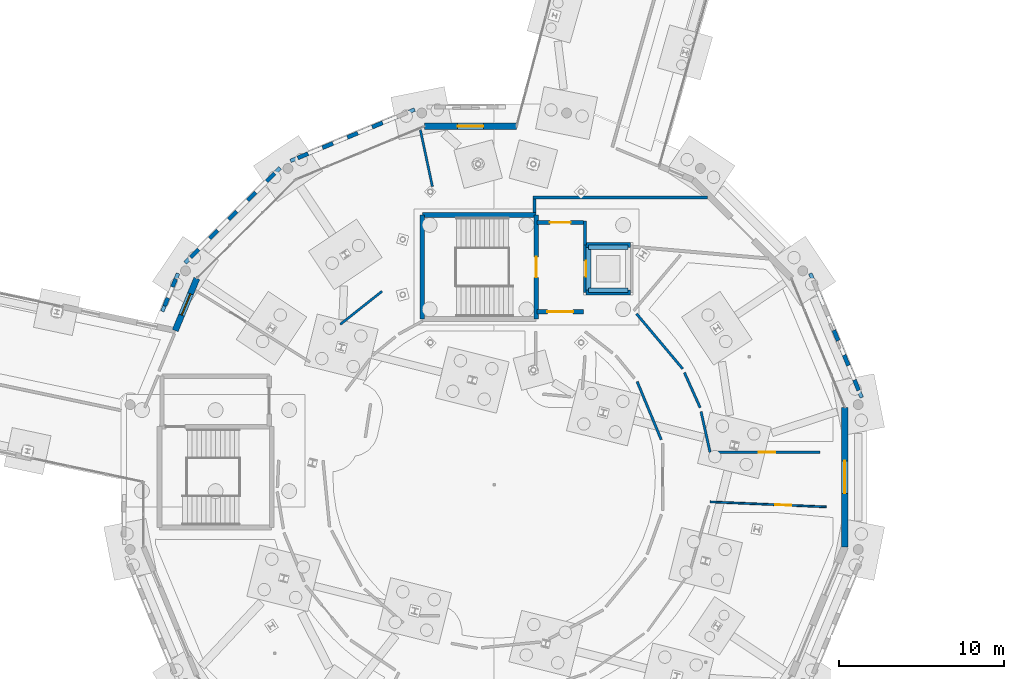
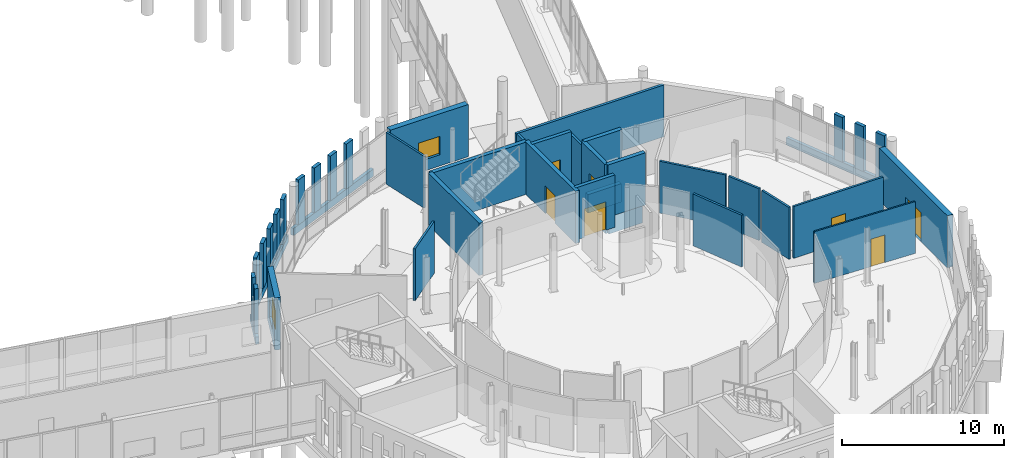
# One storey, part 91 of 113: 43 walls, 7 doors, 2 windows, 9 openings.
"""IFC4 building model written with IfcOpenShell, lengths in metres."""

import ifcopenshell
import ifcopenshell.guid

model = None  # the IFC model being written
_history = None  # IfcOwnerHistory: only IFC2X3 demands one
_inside = {}  # id of a spatial element -> (the spatial element, [elements in it])
_under = {}  # id of a project, library or spatial element -> (it, [spatial elements below it])
_declared = {}  # id of a project -> (the project, [libraries it declares])
_typed = {}  # id of a type object -> (the type object, [elements of that type])
_made_of = {}  # id of a material, layer set ... -> (it, [elements and type objects made of it])


def new_model(schema):
    """Start an empty IFC model of exactly this schema.

    Asked for "IFC4X3", IfcOpenShell would pick the latest addendum, in which some entities
    have other attributes; the version numbers below select the first issue.
    IFC2X3 requires an IfcOwnerHistory on every rooted entity: one is made here for all.
    """
    global model, _history
    if schema == "IFC4X3":
        model = ifcopenshell.file(schema_version=(4, 3, 0, 0))
    else:
        model = ifcopenshell.file(schema=schema)
    _inside.clear()
    _under.clear()
    _declared.clear()
    _typed.clear()
    _made_of.clear()
    _history = None
    if model.schema == "IFC2X3":
        org = make("IfcOrganization", Name="unknown")
        user = make(
            "IfcPersonAndOrganization",
            ThePerson=make("IfcPerson", FamilyName="unknown"),
            TheOrganization=org,
        )
        app = make(
            "IfcApplication",
            ApplicationDeveloper=org,
            Version="unknown",
            ApplicationFullName="unknown",
            ApplicationIdentifier="unknown",
        )
        _history = make(
            "IfcOwnerHistory",
            OwningUser=user,
            OwningApplication=app,
            ChangeAction="ADDED",
            CreationDate=0,
        )
    return model


def make(cls, **values):
    """One entity of the class cls with the attributes given. An attribute that is None is left unset."""
    return model.create_entity(
        cls, **{name: value for name, value in values.items() if value is not None}
    )


def rooted(cls, **values):
    """An entity with a GlobalId (a new one), such as an element, a storey or a relation."""
    return make(cls, GlobalId=ifcopenshell.guid.new(), OwnerHistory=_history, **values)


def si_unit(unit_type, name, prefix=None):
    """IfcSIUnit, for example si_unit("LENGTHUNIT", "METRE", prefix="MILLI")."""
    return make("IfcSIUnit", UnitType=unit_type, Prefix=prefix, Name=name)


def assignment(units):
    """IfcUnitAssignment: the units of a project."""
    return None if units is None else make("IfcUnitAssignment", Units=units)


def point(xyz):
    """IfcCartesianPoint."""
    return None if xyz is None else make("IfcCartesianPoint", Coordinates=xyz)


def direction(xyz):
    """IfcDirection."""
    return None if xyz is None else make("IfcDirection", DirectionRatios=xyz)


def frame(location, z_axis=None, x_axis=None):
    """IfcAxis2Placement3D, a coordinate frame: its origin and axes. An axis left out is left unset."""
    return make(
        "IfcAxis2Placement3D",
        Location=point(location),
        Axis=direction(z_axis),
        RefDirection=direction(x_axis),
    )


def frame_2d(location, x_axis=None):
    """IfcAxis2Placement2D, a coordinate frame in the plane: its origin and x axis."""
    return make(
        "IfcAxis2Placement2D", Location=point(location), RefDirection=direction(x_axis)
    )


def origin():
    """The frame at (0, 0, 0) with its axes left unset."""
    return frame((0.0, 0.0, 0.0))


def place(relative_to, where):
    """IfcLocalPlacement: puts the frame where relative to a parent placement (None: the world)."""
    return make(
        "IfcLocalPlacement", PlacementRelTo=relative_to, RelativePlacement=where
    )


def context(
    kind, dimensions, precision=None, world=None, true_north=None, identifier=None
):
    """IfcGeometricRepresentationContext, for example the 3D "Model" context."""
    return make(
        "IfcGeometricRepresentationContext",
        ContextIdentifier=identifier,
        ContextType=kind,
        CoordinateSpaceDimension=dimensions,
        Precision=precision,
        WorldCoordinateSystem=world,
        TrueNorth=true_north,
    )


def subcontext(parent, identifier, kind, view, scale=None):
    """IfcGeometricRepresentationSubContext, for example "Body" below "Model"."""
    return make(
        "IfcGeometricRepresentationSubContext",
        ContextIdentifier=identifier,
        ContextType=kind,
        ParentContext=parent,
        TargetScale=scale,
        TargetView=view,
    )


def project(units=None, contexts=None):
    """IfcProject with its units and contexts."""
    return rooted(
        "IfcProject",
        Name="project",
        RepresentationContexts=contexts,
        UnitsInContext=assignment(units),
    )


def spatial(cls, under=None, at=None, **own):
    """A site, building, storey or space (cls), placed at a placement, below another one or the project."""
    s = rooted(cls, ObjectPlacement=at, **own)
    if under is not None:
        _under.setdefault(under.id(), (under, []))[1].append(s)
    return s


def profile(cls, at=None, kind="AREA", **sizes):
    """A parametric profile (cls). Its sizes go by their IFC names, for example OverallWidth=200.0."""
    return make(cls, ProfileType=kind, Position=at, **sizes)


def rectangle(**sizes):
    """IfcRectangleProfileDef."""
    return profile("IfcRectangleProfileDef", **sizes)


def extrude(swept, where, along, depth):
    """IfcExtrudedAreaSolid: the profile swept, set in the frame where, extruded along a direction by depth."""
    return make(
        "IfcExtrudedAreaSolid",
        SweptArea=swept,
        Position=where,
        ExtrudedDirection=direction(along),
        Depth=depth,
    )


def shape(context_of_items, identifier, shape_type, items):
    """IfcShapeRepresentation: the items that make up one representation, for example the "Body"."""
    return make(
        "IfcShapeRepresentation",
        ContextOfItems=context_of_items,
        RepresentationIdentifier=identifier,
        RepresentationType=shape_type,
        Items=items,
    )


def material(Name=None, Category=None):
    """IfcMaterial."""
    return make("IfcMaterial", Name=Name, Category=Category)


def layer(
    of_material, thickness, ventilated=None, Name=None, Category=None, Priority=None
):
    """IfcMaterialLayer: one layer of a wall or slab, of a material (None: an air gap)."""
    return make(
        "IfcMaterialLayer",
        Material=of_material,
        LayerThickness=thickness,
        IsVentilated=ventilated,
        Name=Name,
        Category=Category,
        Priority=Priority,
    )


def layer_set(layers, Name=None):
    """IfcMaterialLayerSet."""
    return make("IfcMaterialLayerSet", MaterialLayers=layers, LayerSetName=Name)


def made_of(thing, what):
    """Note that an element or type object is made of a material, layer set ...; save() writes the relation."""
    if what is not None:
        _made_of.setdefault(what.id(), (what, []))[1].append(thing)
    return thing


def type_object(cls, material=None, **own):
    """A type object (cls), such as IfcWallType, which elements share."""
    return made_of(rooted(cls, **own), material)


def element(
    cls,
    number,
    at=None,
    inside=None,
    cuts=None,
    type_object=None,
    material=None,
    context=None,
    identifier="Body",
    shape_type=None,
    held_by="IfcProductDefinitionShape",
    body=None,
    shapes=None,
    **own,
):
    """One element of the class cls, such as IfcWall. Its Tag is "e" and its number.

    at: its placement. inside: the storey or other place that contains it. cuts: it is an
    opening in that element (IfcRelVoidsElement). A single representation is given by context,
    identifier, shape_type and body (its items); several are given by shapes. held_by: the class
    of the entity that holds the representations. save() writes the other relations.
    """
    e = rooted(cls, Tag="e%d" % number, ObjectPlacement=at, **own)
    if body is not None:
        shapes = [shape(context, identifier, shape_type, body)]
    if shapes is not None:
        e.Representation = make(held_by, Representations=shapes)
    if inside is not None:
        _inside.setdefault(inside.id(), (inside, []))[1].append(e)
    if cuts is not None:
        rooted(
            "IfcRelVoidsElement", RelatingBuildingElement=cuts, RelatedOpeningElement=e
        )
    if type_object is not None:
        _typed.setdefault(type_object.id(), (type_object, []))[1].append(e)
    return made_of(e, material)


def fill(opening, filler):
    """IfcRelFillsElement: the door or window that sits in an opening."""
    return rooted(
        "IfcRelFillsElement",
        RelatingOpeningElement=opening,
        RelatedBuildingElement=filler,
    )


def aggregate(whole, parts):
    """IfcRelAggregates: a whole, such as a stair, and the parts it consists of."""
    return rooted("IfcRelAggregates", RelatingObject=whole, RelatedObjects=parts)


def save(model, path):
    """Write the relations noted so far, then the file.

    IfcRelAggregates (storeys below a building ...), IfcRelContainedInSpatialStructure (elements
    in a storey), IfcRelDefinesByType, IfcRelAssociatesMaterial and IfcRelDeclares: one each for
    every whole, place, type object, material and project.
    """
    for whole, parts in _under.values():
        aggregate(whole, parts)
    for where, things in _inside.values():
        rooted(
            "IfcRelContainedInSpatialStructure",
            RelatedElements=things,
            RelatingStructure=where,
        )
    for kind, things in _typed.values():
        rooted("IfcRelDefinesByType", RelatedObjects=things, RelatingType=kind)
    for what, things in _made_of.values():
        rooted("IfcRelAssociatesMaterial", RelatedObjects=things, RelatingMaterial=what)
    for by, libraries in _declared.values():
        rooted("IfcRelDeclares", RelatingContext=by, RelatedDefinitions=libraries)
    model.write(path)


model = new_model("IFC4")

# Units and contexts
model_context = context("Model", 3, precision=1e-05, world=origin(), true_north=direction((0.0, 1.0)))
body_context = subcontext(model_context, "Body", "Model", "MODEL_VIEW")
ifc_project = project(units=[si_unit("LENGTHUNIT", "METRE"), si_unit("AREAUNIT", "SQUARE_METRE"), si_unit("VOLUMEUNIT", "CUBIC_METRE"), si_unit("PLANEANGLEUNIT", "RADIAN"), si_unit("MASSUNIT", "GRAM", prefix="KILO")], contexts=[model_context])

# Site, building, storey
site_placement = place(None, origin())
site = spatial("IfcSite", under=ifc_project, at=site_placement, CompositionType="ELEMENT")
building_placement = place(site_placement, origin())
building = spatial("IfcBuilding", under=site, at=building_placement, Name="Wrenclough Park School", CompositionType="ELEMENT")
storey_placement = place(building_placement, origin())
storey = spatial("IfcBuildingStorey", under=building, at=storey_placement, Name="L00", CompositionType="ELEMENT", Elevation=0.0)

# Walls
ifc_material_1 = material(Name="Perforated open-bond Staffordshire and Manchester brick screen pier", Category="masonry")
ifc_layer_1 = layer(ifc_material_1, 0.2451171875)
ifc_layer_set_1 = layer_set([ifc_layer_1], Name="Perforated open-bond Staffordshire and Manchester brick screen pier")
wall_type_1 = type_object("IfcWallType", Name="ENV-BS-PR245", PredefinedType="ELEMENTEDWALL", material=ifc_layer_set_1)
for number, where, z_axis, x_axis, name in (
    (1, (177.5498046875, 31.743896484375, 0.550048828125), (0.0, 0.0, 1.0), (-0.382762115804, 0.923846936838, 0.0), "D1 L00 perforated brick screen pier 0001"),
    (2, (176.927490234375, 33.24609375, 0.550048828125), (0.0, 0.0, 1.0), (-0.38245702535, 0.923973280869, 0.0), "D1 L00 perforated brick screen pier 0002"),
    (3, (176.305419921875, 34.748291015625, 0.550048828125), (0.0, 0.0, 1.0), (-0.382762115804, 0.923846936838, 0.0), "D1 L00 perforated brick screen pier 0003"),
):
    element("IfcWall", number, at=place(storey_placement, frame(where, z_axis=z_axis, x_axis=x_axis)), inside=storey, type_object=wall_type_1, Name=name, PredefinedType="ELEMENTEDWALL", context=body_context, shape_type="SweptSolid", body=[
        extrude(rectangle(XDim=0.68310546875, YDim=0.2451171875, at=frame_2d((0.341552734375, 0.0))), origin(), (0.0, 0.0, 1.0), 3.389892578125),
    ])
for number, where, z_axis, x_axis, name in (
    (4, (148.753662109375, 47.927490234375, 0.550048828125), (0.0, 0.0, 1.0), (-0.923794551169, -0.382888531077, 0.0), "D1 L00 perforated brick screen pier 0010"),
    (5, (147.25146484375, 47.30517578125, 0.550048828125), (0.0, 0.0, 1.0), (-0.923920971518, -0.382583374429, 0.0), "D1 L00 perforated brick screen pier 0011"),
    (6, (145.749267578125, 46.68310546875, 0.550048828125), (0.0, 0.0, 1.0), (-0.923794551169, -0.382888531077, 0.0), "D1 L00 perforated brick screen pier 0012"),
):
    element("IfcWall", number, at=place(storey_placement, frame(where, z_axis=z_axis, x_axis=x_axis)), inside=storey, type_object=wall_type_1, Name=name, PredefinedType="ELEMENTEDWALL", context=body_context, shape_type="SweptSolid", body=[
        extrude(rectangle(XDim=0.682861328125, YDim=0.2451171875, at=frame_2d((0.34130859375, 0.0))), origin(), (0.0, 0.0, 1.0), 3.389892578125),
    ])
wall_1_placement = place(storey_placement, frame((144.2470703125, 46.060791015625, 0.550048828125), z_axis=(0.0, 0.0, 1.0), x_axis=(-0.923846936838, -0.382762115804, 0.0)))
element("IfcWall", 7, at=wall_1_placement, inside=storey, type_object=wall_type_1, Name="D1 L00 perforated brick screen pier 0013", PredefinedType="ELEMENTEDWALL", context=body_context, shape_type="SweptSolid", body=[
    extrude(rectangle(XDim=0.68310546875, YDim=0.2451171875, at=frame_2d((0.341552734375, 0.0))), origin(), (0.0, 0.0, 1.0), 3.389892578125),
])
wall_2_placement = place(storey_placement, frame((142.216796875, 44.864013671875, 0.550048828125), z_axis=(0.0, 0.0, 1.0), x_axis=(-0.707106781187, -0.707106781187, 0.0)))
element("IfcWall", 8, at=wall_2_placement, inside=storey, type_object=wall_type_1, Name="D1 L00 perforated brick screen pier 0014", PredefinedType="ELEMENTEDWALL", context=body_context, shape_type="SweptSolid", body=[
    extrude(rectangle(XDim=0.682861328125, YDim=0.2451171875, at=frame_2d((0.34130859375, 0.0))), origin(), (0.0, 0.0, 1.0), 3.389892578125),
])
for number, where, z_axis, x_axis, name in (
    (9, (141.067138671875, 43.714599609375, 0.550048828125), (0.0, 0.0, 1.0), (-0.706928060917, -0.707285456296, 0.0), "D1 L00 perforated brick screen pier 0015"),
    (10, (139.91748046875, 42.56494140625, 0.550048828125), (0.0, 0.0, 1.0), (-0.706928060917, -0.707285456296, 0.0), "D1 L00 perforated brick screen pier 0016"),
    (11, (138.76806640625, 41.415283203125, 0.550048828125), (0.0, 0.0, 1.0), (-0.707285456296, -0.706928060917, 0.0), "D1 L00 perforated brick screen pier 0017"),
):
    element("IfcWall", number, at=place(storey_placement, frame(where, z_axis=z_axis, x_axis=x_axis)), inside=storey, type_object=wall_type_1, Name=name, PredefinedType="ELEMENTEDWALL", context=body_context, shape_type="SweptSolid", body=[
        extrude(rectangle(XDim=0.68310546875, YDim=0.2451171875, at=frame_2d((0.341552734375, 0.0))), origin(), (0.0, 0.0, 1.0), 3.389892578125),
    ])
wall_3_placement = place(storey_placement, frame((137.618408203125, 40.265625, 0.550048828125), z_axis=(0.0, 0.0, 1.0), x_axis=(-0.707106781187, -0.707106781187, 0.0)))
element("IfcWall", 12, at=wall_3_placement, inside=storey, type_object=wall_type_1, Name="D1 L00 perforated brick screen pier 0018", PredefinedType="ELEMENTEDWALL", context=body_context, shape_type="SweptSolid", body=[
    extrude(rectangle(XDim=0.682861328125, YDim=0.2451171875, at=frame_2d((0.34130859375, 0.0))), origin(), (0.0, 0.0, 1.0), 3.389892578125),
])
wall_4_placement = place(storey_placement, frame((136.24267578125, 38.485595703125, 0.550048828125), z_axis=(0.0, 0.0, 1.0), x_axis=(-0.382626535499, -0.923903097912, 0.0)))
element("IfcWall", 13, at=wall_4_placement, inside=storey, type_object=wall_type_1, Name="D1 L00 perforated brick screen pier 0019", PredefinedType="ELEMENTEDWALL", context=body_context, shape_type="SweptSolid", body=[
    extrude(rectangle(XDim=0.523193359375, YDim=0.2451171875, at=frame_2d((0.26171875, 0.0))), origin(), (0.0, 0.0, 1.0), 3.389892578125),
])
wall_5_placement = place(storey_placement, frame((135.76611328125, 37.334716796875, 0.550048828125), z_axis=(0.0, 0.0, 1.0), x_axis=(-0.382791554495, -0.923834739446, 0.0)))
element("IfcWall", 14, at=wall_5_placement, inside=storey, type_object=wall_type_1, Name="D1 L00 perforated brick screen pier 0020", PredefinedType="ELEMENTEDWALL", context=body_context, shape_type="SweptSolid", body=[
    extrude(rectangle(XDim=0.52294921875, YDim=0.2451171875, at=frame_2d((0.261474609375, 0.0))), origin(), (0.0, 0.0, 1.0), 3.389892578125),
])
ifc_material_2 = material(Name="Open-bond Manchester multi-stock brick spandrel screen", Category="masonry")
ifc_layer_2 = layer(ifc_material_2, 0.22509765625)
ifc_layer_set_2 = layer_set([ifc_layer_2], Name="Open-bond Manchester multi-stock brick spandrel screen")
wall_type_2 = type_object("IfcWallType", Name="ENV-BS-SP225", PredefinedType="ELEMENTEDWALL", material=ifc_layer_set_2)
wall_6_placement = place(storey_placement, frame((177.730224609375, 31.308349609375, 0.0), z_axis=(0.0, 0.0, 1.0), x_axis=(-0.382701881142, 0.923871890562, 0.0)))
element("IfcWall", 15, at=wall_6_placement, inside=storey, type_object=wall_type_2, Name="D1 L00 open-bond brick screen spandrel 0001", PredefinedType="ELEMENTEDWALL", context=body_context, shape_type="SweptSolid", body=[
    extrude(rectangle(XDim=8.1298828125, YDim=0.22509765625, at=frame_2d((4.06494140625, 0.0))), origin(), (0.0, 0.0, 1.0), 0.550048828125),
])
wall_7_placement = place(storey_placement, frame((150.691650390625, 48.730224609375, 0.0), z_axis=(0.0, 0.0, 1.0), x_axis=(-0.92387628859, -0.382691263791, 0.0)))
element("IfcWall", 16, at=wall_7_placement, inside=storey, type_object=wall_type_2, Name="D1 L00 open-bond brick screen spandrel 0003", PredefinedType="ELEMENTEDWALL", context=body_context, shape_type="SweptSolid", body=[
    extrude(rectangle(XDim=8.130126953125, YDim=0.22509765625, at=frame_2d((4.06494140625, 0.0))), origin(), (0.0, 0.0, 1.0), 0.550048828125),
])
wall_8_placement = place(storey_placement, frame((142.550048828125, 45.197509765625, 0.0), z_axis=(0.0, 0.0, 1.0), x_axis=(-0.707106781187, -0.707106781187, 0.0)))
element("IfcWall", 17, at=wall_8_placement, inside=storey, type_object=wall_type_2, Name="D1 L00 open-bond brick screen spandrel 0004", PredefinedType="ELEMENTEDWALL", context=body_context, shape_type="SweptSolid", body=[
    extrude(rectangle(XDim=8.12890625, YDim=0.22509765625, at=frame_2d((4.064453125, 0.0))), origin(), (0.0, 0.0, 1.0), 0.550048828125),
])
wall_9_placement = place(storey_placement, frame((136.381103515625, 38.8193359375, 0.0), z_axis=(0.0, 0.0, 1.0), x_axis=(-0.382700894154, -0.923872299408, 0.0)))
element("IfcWall", 18, at=wall_9_placement, inside=storey, type_object=wall_type_2, Name="D1 L00 open-bond brick screen spandrel 0005", PredefinedType="ELEMENTEDWALL", context=body_context, shape_type="SweptSolid", body=[
    extrude(rectangle(XDim=2.4912109375, YDim=0.22509765625, at=frame_2d((1.24560546875, 0.0))), origin(), (0.0, 0.0, 1.0), 0.550048828125),
])

# Wall, opening, window
ifc_material_3 = material(Name="Manchester multi-stock brick and Concrete C35/45 inner leaf", Category="masonry")
ifc_layer_3 = layer(ifc_material_3, 0.3798828125)
ifc_layer_set_3 = layer_set([ifc_layer_3], Name="Manchester multi-stock brick and Concrete C35/45 inner leaf")
wall_type_3 = type_object("IfcWallType", Name="ENV-EW-380", PredefinedType="SOLIDWALL", material=ifc_layer_set_3)
wall_10_placement = place(storey_placement, frame((136.21044921875, 35.36083984375, 0.0), z_axis=(0.0, 0.0, 1.0), x_axis=(0.382654892735, 0.923891353497, 0.0)))
wall_10 = element("IfcWall", 19, at=wall_10_placement, inside=storey, type_object=wall_type_3, Name="L00 insulated brick external wall 0051", PredefinedType="SOLIDWALL", context=body_context, shape_type="SweptSolid", body=[
    extrude(rectangle(XDim=3.41455078125, YDim=0.3798828125, at=frame_2d((1.707275390625, 0.0))), origin(), (0.0, 0.0, 1.0), 3.93994140625),
])
opening_1_placement = place(wall_10_placement, frame((1.00732421875, 0.0, 0.85009765625)))
opening_1 = element("IfcOpeningElement", 20, at=opening_1_placement, cuts=wall_10, Name="Opening WN-05", PredefinedType="OPENING", context=body_context, shape_type="SweptSolid", body=[
    extrude(rectangle(XDim=1.39990234375, YDim=1.39990234375, at=frame_2d((0.699951171875, 0.699951171875))), frame((0.0, 0.199951171875, 0.0), z_axis=(0.0, -1.0, 0.0), x_axis=(1.0, 0.0, 0.0)), (0.0, 0.0, 1.0), 0.39990234375),
])
ifc_material_4 = material(Name="Thermally broken aluminium and double-glazed low-e glass", Category="aluminium")
window_type_1 = type_object("IfcWindowType", Name="ENV-WN-05", PartitioningType="SINGLE_PANEL", PredefinedType="WINDOW", material=ifc_material_4)
window_1_placement = place(opening_1_placement, origin())
window_1 = element("IfcWindow", 21, at=window_1_placement, inside=storey, type_object=window_type_1, Name="L00 scheduled facade window 0060", OverallHeight=1.39990234375, OverallWidth=1.39990234375, PartitioningType="SINGLE_PANEL", PredefinedType="WINDOW", context=body_context, shape_type="SweptSolid", body=[
    extrude(rectangle(XDim=1.39990234375, YDim=1.39990234375, at=frame_2d((0.699951171875, 0.699951171875))), frame((0.0, 0.030029296875, 0.0), z_axis=(0.0, -1.0, 0.0), x_axis=(1.0, 0.0, 0.0)), (0.0, 0.0, 1.0), 0.06005859375),
])
fill(opening_1, window_1)

# Wall, opening, door
ifc_material_5 = material(Name="Staffordshire blue-grey brick and Concrete C40/50 acoustic leaf", Category="masonry")
ifc_layer_4 = layer(ifc_material_5, 0.39990234375)
ifc_layer_set_4 = layer_set([ifc_layer_4], Name="Staffordshire blue-grey brick and Concrete C40/50 acoustic leaf")
wall_type_4 = type_object("IfcWallType", Name="ENV-EW-400", PredefinedType="SOLIDWALL", material=ifc_layer_set_4)
wall_11_placement = place(storey_placement, frame((176.712158203125, 30.71923828125, 0.0), z_axis=(0.0, 0.0, 1.0), x_axis=(0.0, -1.0, 0.0)))
wall_11 = element("IfcWall", 22, at=wall_11_placement, inside=storey, type_object=wall_type_4, Name="L00 insulated brick external wall 0036", PredefinedType="SOLIDWALL", context=body_context, shape_type="SweptSolid", body=[
    extrude(rectangle(XDim=8.4384765625, YDim=0.39990234375, at=frame_2d((4.21923828125, 0.0))), origin(), (0.0, 0.0, 1.0), 3.93994140625),
])
opening_2_placement = place(wall_11_placement, frame((3.2392578125, 0.0, 0.0)))
opening_2 = element("IfcOpeningElement", 23, at=opening_2_placement, cuts=wall_11, Name="Opening EX-02", PredefinedType="OPENING", context=body_context, shape_type="SweptSolid", body=[
    extrude(rectangle(XDim=1.9599609375, YDim=2.199951171875, at=frame_2d((0.97998046875, 1.10009765625))), frame((0.0, 0.2099609375, 0.0), z_axis=(0.0, -1.0, 0.0), x_axis=(1.0, 0.0, 0.0)), (0.0, 0.0, 1.0), 0.419921875),
])
ifc_material_6 = material(Name="Thermally broken powder-coated aluminium and laminated safety glass", Category="aluminium")
door_type_1 = type_object("IfcDoorType", Name="DR-EX196", OperationType="NOTDEFINED", PredefinedType="DOOR", material=ifc_material_6)
door_1_placement = place(opening_2_placement, origin())
door_1 = element("IfcDoor", 24, at=door_1_placement, inside=storey, type_object=door_type_1, Name="Pedestrian final exit door EX-02", OperationType="DOUBLE_DOOR_SINGLE_SWING", OverallHeight=2.199951171875, OverallWidth=1.9599609375, PredefinedType="DOOR", context=body_context, shape_type="SweptSolid", body=[
    extrude(rectangle(XDim=1.9599609375, YDim=2.199951171875, at=frame_2d((0.97998046875, 1.10009765625))), frame((0.0, 0.02490234375, 0.0), z_axis=(0.0, -1.0, 0.0), x_axis=(1.0, 0.0, 0.0)), (0.0, 0.0, 1.0), 0.050048828125),
])
fill(opening_2, door_1)

# Wall, opening, window
wall_12_placement = place(storey_placement, frame((151.28076171875, 47.712158203125, 0.0), z_axis=(0.0, 0.0, 1.0), x_axis=(1.0, 0.0, 0.0)))
wall_12 = element("IfcWall", 25, at=wall_12_placement, inside=storey, type_object=wall_type_4, Name="L00 insulated brick external wall 0052", PredefinedType="SOLIDWALL", context=body_context, shape_type="SweptSolid", body=[
    extrude(rectangle(XDim=5.577880859375, YDim=0.39990234375, at=frame_2d((2.7890625, 0.0))), origin(), (0.0, 0.0, 1.0), 3.93994140625),
])
opening_3_placement = place(wall_12_placement, frame((2.013916015625, 0.0, 0.85009765625)))
opening_3 = element("IfcOpeningElement", 26, at=opening_3_placement, cuts=wall_12, Name="Opening WN-06", PredefinedType="OPENING", context=body_context, shape_type="SweptSolid", body=[
    extrude(rectangle(XDim=1.550048828125, YDim=1.39990234375, at=frame_2d((0.77490234375, 0.699951171875))), frame((0.0, 0.2099609375, 0.0), z_axis=(0.0, -1.0, 0.0), x_axis=(1.0, 0.0, 0.0)), (0.0, 0.0, 1.0), 0.419921875),
])
window_type_2 = type_object("IfcWindowType", Name="ENV-WN-06", PartitioningType="DOUBLE_PANEL_VERTICAL", PredefinedType="WINDOW", material=ifc_material_4)
window_2_placement = place(opening_3_placement, origin())
window_2 = element("IfcWindow", 27, at=window_2_placement, inside=storey, type_object=window_type_2, Name="L00 scheduled facade window 0061", OverallHeight=1.39990234375, OverallWidth=1.550048828125, PartitioningType="SINGLE_PANEL", PredefinedType="WINDOW", context=body_context, shape_type="SweptSolid", body=[
    extrude(rectangle(XDim=1.550048828125, YDim=1.39990234375, at=frame_2d((0.77490234375, 0.699951171875))), frame((0.0, 0.030029296875, 0.0), z_axis=(0.0, -1.0, 0.0), x_axis=(1.0, 0.0, 0.0)), (0.0, 0.0, 1.0), 0.06005859375),
])
fill(opening_3, window_2)

# Wall, opening, door
ifc_material_7 = material(Name="Concrete C35/45", Category="concrete")
ifc_layer_5 = layer(ifc_material_7, 0.25)
ifc_layer_set_5 = layer_set([ifc_layer_5], Name="Concrete C35/45")
wall_type_5 = type_object("IfcWallType", Name="INT-CW-250", PredefinedType="SHEAR", material=ifc_layer_set_5)
wall_13_placement = place(storey_placement, frame((158.10009765625, 36.5, 0.0), z_axis=(0.0, 0.0, 1.0), x_axis=(1.0, 0.0, 0.0)))
wall_13 = element("IfcWall", 28, at=wall_13_placement, inside=storey, type_object=wall_type_5, Name="Core C1 L00 lobby fire wall south", PredefinedType="SHEAR", context=body_context, shape_type="SweptSolid", body=[
    extrude(rectangle(XDim=2.7998046875, YDim=0.25, at=frame_2d((1.39990234375, 0.0))), origin(), (0.0, 0.0, 1.0), 3.949951171875),
])
opening_4_placement = place(wall_13_placement, frame((0.625, 0.0, 0.0)))
opening_4 = element("IfcOpeningElement", 29, at=opening_4_placement, cuts=wall_13, Name="Opening DLB-C1-L00", PredefinedType="OPENING", context=body_context, shape_type="SweptSolid", body=[
    extrude(rectangle(XDim=1.550048828125, YDim=2.14990234375, at=frame_2d((0.77490234375, 1.074951171875))), frame((0.0, 0.135009765625, 0.0), z_axis=(0.0, -1.0, 0.0), x_axis=(1.0, 0.0, 0.0)), (0.0, 0.0, 1.0), 0.27001953125),
])
ifc_material_8 = material(Name="Protected stair lobby double fire door assembly", Category="wood")
door_type_2 = type_object("IfcDoorType", Name="INT-DR-LB155", OperationType="NOTDEFINED", PredefinedType="DOOR", material=ifc_material_8)
door_2_placement = place(opening_4_placement, frame((1.550048828125, 0.0, 0.0), z_axis=(0.0, 0.0, 1.0), x_axis=(-1.0, 0.0, 0.0)))
door_2 = element("IfcDoor", 30, at=door_2_placement, inside=storey, type_object=door_type_2, Name="Core C1 L00 protected lobby fire door", OperationType="DOUBLE_DOOR_SINGLE_SWING", OverallHeight=2.14990234375, OverallWidth=1.550048828125, PredefinedType="DOOR", context=body_context, shape_type="SweptSolid", body=[
    extrude(rectangle(XDim=1.550048828125, YDim=2.14990234375, at=frame_2d((0.77490234375, 1.074951171875))), frame((0.0, 0.02490234375, 0.0), z_axis=(0.0, -1.0, 0.0), x_axis=(1.0, 0.0, 0.0)), (0.0, 0.0, 1.0), 0.050048828125),
])
fill(opening_4, door_2)

wall_14_placement = place(storey_placement, frame((160.89990234375, 41.89990234375, 0.0), z_axis=(0.0, 0.0, 1.0), x_axis=(-1.0, 0.0, 0.0)))
wall_14 = element("IfcWall", 31, at=wall_14_placement, inside=storey, type_object=wall_type_5, Name="Core C1 L00 lobby fire wall north", PredefinedType="SHEAR", context=body_context, shape_type="SweptSolid", body=[
    extrude(rectangle(XDim=2.7998046875, YDim=0.25, at=frame_2d((1.39990234375, 0.0))), origin(), (0.0, 0.0, 1.0), 3.949951171875),
])
opening_5_placement = place(wall_14_placement, frame((0.77490234375, 0.0, 0.0)))
opening_5 = element("IfcOpeningElement", 32, at=opening_5_placement, cuts=wall_14, Name="Opening DEP-C1-L00", PredefinedType="OPENING", context=body_context, shape_type="SweptSolid", body=[
    extrude(rectangle(XDim=1.25, YDim=2.10009765625, at=frame_2d((0.625, 1.050048828125))), frame((0.0, 0.135009765625, 0.0), z_axis=(0.0, -1.0, 0.0), x_axis=(1.0, 0.0, 0.0)), (0.0, 0.0, 1.0), 0.27001953125),
])
ifc_material_9 = material(Name="Wide protected escape stair fire door assembly", Category="wood")
door_type_3 = type_object("IfcDoorType", Name="INT-DR-ST125", OperationType="NOTDEFINED", PredefinedType="DOOR", material=ifc_material_9)
door_3_placement = place(opening_5_placement, frame((1.25, 0.0, 0.0), z_axis=(0.0, 0.0, 1.0), x_axis=(-1.0, 0.0, 0.0)))
door_3 = element("IfcDoor", 33, at=door_3_placement, inside=storey, type_object=door_type_3, Name="Core C1 L00 protected exit passageway fire door", OperationType="SINGLE_SWING_LEFT", OverallHeight=2.10009765625, OverallWidth=1.25, PredefinedType="DOOR", context=body_context, shape_type="SweptSolid", body=[
    extrude(rectangle(XDim=1.25, YDim=2.10009765625, at=frame_2d((0.625, 1.050048828125))), frame((0.0, 0.02490234375, 0.0), z_axis=(0.0, -1.0, 0.0), x_axis=(1.0, 0.0, 0.0)), (0.0, 0.0, 1.0), 0.050048828125),
])
fill(opening_5, door_3)

# Walls
ifc_material_10 = material(Name="Concrete C40/50", Category="concrete")
ifc_layer_6 = layer(ifc_material_10, 0.2900390625)
ifc_layer_set_6 = layer_set([ifc_layer_6], Name="Concrete C40/50")
wall_type_6 = type_object("IfcWallType", Name="INT-CW-290", PredefinedType="SHEAR", material=ifc_layer_set_6)
for number, where, z_axis, x_axis, name in (
    (34, (161.199951171875, 37.800048828125, -1.39990234375), (0.0, 0.0, 1.0), (1.0, 0.0, 0.0), "Lift LFT-03 concrete pit wall 1"),
    (35, (163.60009765625, 40.39990234375, -1.39990234375), (0.0, 0.0, 1.0), (-1.0, 0.0, 0.0), "Lift LFT-03 concrete pit wall 3"),
):
    element("IfcWall", number, at=place(storey_placement, frame(where, z_axis=z_axis, x_axis=x_axis)), inside=storey, type_object=wall_type_6, Name=name, PredefinedType="SHEAR", context=body_context, shape_type="SweptSolid", body=[
        extrude(rectangle(XDim=2.400146484375, YDim=0.2900390625, at=frame_2d((1.2001953125, 0.0))), origin(), (0.0, 0.0, 1.0), 1.39990234375),
    ])
wall_15_placement = place(storey_placement, frame((161.199951171875, 40.39990234375, -1.39990234375), z_axis=(0.0, 0.0, 1.0), x_axis=(0.0, -1.0, 0.0)))
element("IfcWall", 36, at=wall_15_placement, inside=storey, type_object=wall_type_6, Name="Lift LFT-03 concrete pit wall 4", PredefinedType="SHEAR", context=body_context, shape_type="SweptSolid", body=[
    extrude(rectangle(XDim=2.599853515625, YDim=0.2900390625, at=frame_2d((1.2998046875, 0.0))), origin(), (0.0, 0.0, 1.0), 1.39990234375),
])

# Wall, opening, door
wall_16_placement = place(storey_placement, frame((158.044921875, 36.054931640625, 0.0), z_axis=(0.0, 0.0, 1.0), x_axis=(0.0, 1.0, 0.0)))
wall_16 = element("IfcWall", 37, at=wall_16_placement, inside=storey, type_object=wall_type_6, Name="Core C1 L00 east shear wall", PredefinedType="SHEAR", context=body_context, shape_type="SweptSolid", body=[
    extrude(rectangle(XDim=6.2900390625, YDim=0.2900390625, at=frame_2d((3.14501953125, 0.0))), origin(), (0.0, 0.0, 1.0), 3.949951171875),
])
opening_6_placement = place(wall_16_placement, frame((2.52001953125, 0.0, 0.0)))
opening_6 = element("IfcOpeningElement", 38, at=opening_6_placement, cuts=wall_16, Name="Opening DST-C1-L00", PredefinedType="OPENING", context=body_context, shape_type="SweptSolid", body=[
    extrude(rectangle(XDim=1.25, YDim=2.10009765625, at=frame_2d((0.625, 1.050048828125))), frame((0.0, 0.155029296875, 0.0), z_axis=(0.0, -1.0, 0.0), x_axis=(1.0, 0.0, 0.0)), (0.0, 0.0, 1.0), 0.31005859375),
])
door_4_placement = place(opening_6_placement, frame((1.25, 0.0, 0.0), z_axis=(0.0, 0.0, 1.0), x_axis=(-1.0, 0.0, 0.0)))
door_4 = element("IfcDoor", 39, at=door_4_placement, inside=storey, type_object=door_type_3, Name="Stair ST-01 L00 fire door", OperationType="SINGLE_SWING_LEFT", OverallHeight=2.10009765625, OverallWidth=1.25, PredefinedType="DOOR", context=body_context, shape_type="SweptSolid", body=[
    extrude(rectangle(XDim=1.25, YDim=2.10009765625, at=frame_2d((0.625, 1.050048828125))), frame((0.0, 0.02490234375, 0.0), z_axis=(0.0, -1.0, 0.0), x_axis=(1.0, 0.0, 0.0)), (0.0, 0.0, 1.0), 0.050048828125),
])
fill(opening_6, door_4)

# Walls
wall_17_placement = place(storey_placement, frame((158.044921875, 42.344970703125, 0.0), z_axis=(0.0, 0.0, 1.0), x_axis=(-1.0, 0.0, 0.0)))
element("IfcWall", 40, at=wall_17_placement, inside=storey, type_object=wall_type_6, Name="Core C1 L00 north shear wall", PredefinedType="SHEAR", context=body_context, shape_type="SweptSolid", body=[
    extrude(rectangle(XDim=6.889892578125, YDim=0.2900390625, at=frame_2d((3.44482421875, 0.0))), origin(), (0.0, 0.0, 1.0), 3.949951171875),
])
wall_18_placement = place(storey_placement, frame((151.155029296875, 42.344970703125, 0.0), z_axis=(0.0, 0.0, 1.0), x_axis=(0.0, -1.0, 0.0)))
element("IfcWall", 41, at=wall_18_placement, inside=storey, type_object=wall_type_6, Name="Core C1 L00 west shear wall", PredefinedType="SHEAR", context=body_context, shape_type="SweptSolid", body=[
    extrude(rectangle(XDim=6.2900390625, YDim=0.2900390625, at=frame_2d((3.14501953125, 0.0))), origin(), (0.0, 0.0, 1.0), 3.949951171875),
])
for number, where, z_axis, x_axis, name in (
    (42, (161.054931640625, 37.655029296875, 0.0), (0.0, 0.0, 1.0), (1.0, 0.0, 0.0), "Lift LFT-03 L00 south shaft wall"),
    (43, (163.7451171875, 40.544921875, 0.0), (0.0, 0.0, 1.0), (-1.0, 0.0, 0.0), "Lift LFT-03 L00 north shaft wall"),
):
    element("IfcWall", number, at=place(storey_placement, frame(where, z_axis=z_axis, x_axis=x_axis)), inside=storey, type_object=wall_type_6, Name=name, PredefinedType="SHEAR", context=body_context, shape_type="SweptSolid", body=[
        extrude(rectangle(XDim=2.690185546875, YDim=0.2900390625, at=frame_2d((1.34521484375, 0.0))), origin(), (0.0, 0.0, 1.0), 3.949951171875),
    ])

# Wall, opening, door
wall_19_placement = place(storey_placement, frame((161.054931640625, 40.544921875, 0.0), z_axis=(0.0, 0.0, 1.0), x_axis=(0.0, -1.0, 0.0)))
wall_19 = element("IfcWall", 44, at=wall_19_placement, inside=storey, type_object=wall_type_6, Name="Lift LFT-03 L00 west shaft wall", PredefinedType="SHEAR", context=body_context, shape_type="SweptSolid", body=[
    extrude(rectangle(XDim=2.889892578125, YDim=0.2900390625, at=frame_2d((1.44482421875, 0.0))), origin(), (0.0, 0.0, 1.0), 3.949951171875),
])
opening_7_placement = place(wall_19_placement, frame((0.969970703125, 0.0, 0.0)))
opening_7 = element("IfcOpeningElement", 45, at=opening_7_placement, cuts=wall_19, Name="Opening LD-03-L00", PredefinedType="OPENING", context=body_context, shape_type="SweptSolid", body=[
    extrude(rectangle(XDim=0.949951171875, YDim=2.10009765625, at=frame_2d((0.47509765625, 1.050048828125))), frame((0.0, 0.155029296875, 0.0), z_axis=(0.0, -1.0, 0.0), x_axis=(1.0, 0.0, 0.0)), (0.0, 0.0, 1.0), 0.31005859375),
])
ifc_material_11 = material(Name="Brushed stainless steel", Category="steel")
door_type_4 = type_object("IfcDoorType", Name="INT-DR-LD095", OperationType="NOTDEFINED", PredefinedType="DOOR", material=ifc_material_11)
door_5_placement = place(opening_7_placement, frame((0.949951171875, 0.0, 0.0), z_axis=(0.0, 0.0, 1.0), x_axis=(-1.0, 0.0, 0.0)))
door_5 = element("IfcDoor", 46, at=door_5_placement, inside=storey, type_object=door_type_4, Name="Lift LFT-03 L00 sliding landing door", OperationType="SLIDING_TO_LEFT", OverallHeight=2.10009765625, OverallWidth=0.949951171875, PredefinedType="DOOR", context=body_context, shape_type="SweptSolid", body=[
    extrude(rectangle(XDim=0.949951171875, YDim=2.10009765625, at=frame_2d((0.47509765625, 1.050048828125))), frame((0.0, 0.02490234375, 0.0), z_axis=(0.0, -1.0, 0.0), x_axis=(1.0, 0.0, 0.0)), (0.0, 0.0, 1.0), 0.050048828125),
])
fill(opening_7, door_5)

ifc_material_12 = material(Name="Lightweight fire-rated store partition", Category="gypsum")
ifc_layer_7 = layer(ifc_material_12, 0.110107421875)
ifc_layer_set_7 = layer_set([ifc_layer_7], Name="Lightweight fire-rated store partition")
wall_type_7 = type_object("IfcWallType", Name="INT-PW-110", PredefinedType="PARTITIONING", material=ifc_layer_set_7)
wall_20_placement = place(storey_placement, frame((175.5830078125, 24.696533203125, 0.0), z_axis=(0.0, 0.0, 1.0), x_axis=(-0.999068045085, 0.043162962012, 0.0)))
wall_20 = element("IfcWall", 47, at=wall_20_placement, inside=storey, type_object=wall_type_7, Name="L00 internal partition 0030", PredefinedType="PARTITIONING", context=body_context, shape_type="SweptSolid", body=[
    extrude(rectangle(XDim=7.03076171875, YDim=0.110107421875, at=frame_2d((3.515380859375, 0.0))), origin(), (0.0, 0.0, 1.0), 3.9150390625),
])
opening_8_placement = place(wall_20_placement, frame((2.124755859375, 0.0, 0.0)))
opening_8 = element("IfcOpeningElement", 48, at=opening_8_placement, cuts=wall_20, Name="Opening DR-L00-002", PredefinedType="OPENING", context=body_context, shape_type="SweptSolid", body=[
    extrude(rectangle(XDim=0.9599609375, YDim=2.080078125, at=frame_2d((0.47998046875, 1.0400390625))), frame((0.0, 0.06494140625, 0.0), z_axis=(0.0, -1.0, 0.0), x_axis=(1.0, 0.0, 0.0)), (0.0, 0.0, 1.0), 0.130126953125),
])
ifc_material_13 = material(Name="General teaching room single door assembly", Category="wood")
door_type_5 = type_object("IfcDoorType", Name="INT-DR-CL096", OperationType="NOTDEFINED", PredefinedType="DOOR", material=ifc_material_13)
door_6_placement = place(opening_8_placement, origin())
door_6 = element("IfcDoor", 49, at=door_6_placement, inside=storey, type_object=door_type_5, Name="PE Changing Village South door DR-L00-002", OperationType="SINGLE_SWING_LEFT", OverallHeight=2.080078125, OverallWidth=0.9599609375, PredefinedType="DOOR", context=body_context, shape_type="SweptSolid", body=[
    extrude(rectangle(XDim=0.9599609375, YDim=2.080078125, at=frame_2d((0.47998046875, 1.0400390625))), frame((0.0, 0.02490234375, 0.0), z_axis=(0.0, -1.0, 0.0), x_axis=(1.0, 0.0, 0.0)), (0.0, 0.0, 1.0), 0.050048828125),
])
fill(opening_8, door_6)

# Walls
ifc_material_14 = material(Name="Protected corridor partition", Category="gypsum")
ifc_layer_8 = layer(ifc_material_14, 0.14990234375)
ifc_layer_set_8 = layer_set([ifc_layer_8], Name="Protected corridor partition")
wall_type_8 = type_object("IfcWallType", Name="INT-PW-150", PredefinedType="PARTITIONING", material=ifc_layer_set_8)
wall_21_placement = place(storey_placement, frame((164.109130859375, 36.37744140625, 0.0), z_axis=(0.0, 0.0, 1.0), x_axis=(0.642699450702, -0.766118408647, 0.0)))
element("IfcWall", 50, at=wall_21_placement, inside=storey, type_object=wall_type_8, Name="L00 internal partition 0036", PredefinedType="PARTITIONING", context=body_context, shape_type="SweptSolid", body=[
    extrude(rectangle(XDim=4.347900390625, YDim=0.14990234375, at=frame_2d((2.173828125, 0.0))), origin(), (0.0, 0.0, 1.0), 3.9150390625),
])
wall_22_placement = place(storey_placement, frame((167.006103515625, 32.818603515625, 0.0), z_axis=(0.0, 0.0, 1.0), x_axis=(0.410736103382, -0.911754272476, 0.0)))
element("IfcWall", 51, at=wall_22_placement, inside=storey, type_object=wall_type_8, Name="L00 internal partition 0037", PredefinedType="PARTITIONING", context=body_context, shape_type="SweptSolid", body=[
    extrude(rectangle(XDim=2.322998046875, YDim=0.14990234375, at=frame_2d((1.16162109375, 0.0))), origin(), (0.0, 0.0, 1.0), 3.9150390625),
])
wall_23_placement = place(storey_placement, frame((168.01416015625, 30.45654296875, 0.0), z_axis=(0.0, 0.0, 1.0), x_axis=(0.216468126475, -0.976289685606, 0.0)))
element("IfcWall", 52, at=wall_23_placement, inside=storey, type_object=wall_type_8, Name="L00 internal partition 0038", PredefinedType="PARTITIONING", context=body_context, shape_type="SweptSolid", body=[
    extrude(rectangle(XDim=2.51611328125, YDim=0.14990234375, at=frame_2d((1.258056640625, 0.0))), origin(), (0.0, 0.0, 1.0), 3.9150390625),
])

# Wall, opening, door
wall_24_placement = place(storey_placement, frame((168.80859375, 28.0, 0.0), z_axis=(0.0, 0.0, 1.0), x_axis=(0.99999981306, -0.000611457065, 0.0)))
wall_24 = element("IfcWall", 53, at=wall_24_placement, inside=storey, type_object=wall_type_8, Name="L00 internal partition 0039", PredefinedType="PARTITIONING", context=body_context, shape_type="SweptSolid", body=[
    extrude(rectangle(XDim=6.388427734375, YDim=0.14990234375, at=frame_2d((3.1943359375, 0.0))), origin(), (0.0, 0.0, 1.0), 3.9150390625),
])
opening_9_placement = place(wall_24_placement, frame((2.694091796875, 0.0, 0.0)))
opening_9 = element("IfcOpeningElement", 54, at=opening_9_placement, cuts=wall_24, Name="Opening DR-L00-003", PredefinedType="OPENING", context=body_context, shape_type="SweptSolid", body=[
    extrude(rectangle(XDim=1.0, YDim=2.10009765625, at=frame_2d((0.5, 1.050048828125))), frame((0.0, 0.0849609375, 0.0), z_axis=(0.0, -1.0, 0.0), x_axis=(1.0, 0.0, 0.0)), (0.0, 0.0, 1.0), 0.169921875),
])
ifc_material_15 = material(Name="Humanities classroom vision door assembly", Category="wood")
door_type_6 = type_object("IfcDoorType", Name="INT-DR-CL100", OperationType="NOTDEFINED", PredefinedType="DOOR", material=ifc_material_15)
door_7_placement = place(opening_9_placement, origin())
door_7 = element("IfcDoor", 55, at=door_7_placement, inside=storey, type_object=door_type_6, Name="Dance Studio door DR-L00-003", OperationType="SINGLE_SWING_RIGHT", OverallHeight=2.10009765625, OverallWidth=1.0, PredefinedType="DOOR", context=body_context, shape_type="SweptSolid", body=[
    extrude(rectangle(XDim=1.0, YDim=2.10009765625, at=frame_2d((0.5, 1.050048828125))), frame((0.0, 0.02490234375, 0.0), z_axis=(0.0, -1.0, 0.0), x_axis=(1.0, 0.0, 0.0)), (0.0, 0.0, 1.0), 0.050048828125),
])
fill(opening_9, door_7)

# Walls
wall_25_placement = place(storey_placement, frame((165.6044921875, 28.760009765625, 0.0), z_axis=(0.0, 0.0, 1.0), x_axis=(-0.382716092408, 0.923866003602, 0.0)))
element("IfcWall", 56, at=wall_25_placement, inside=storey, type_object=wall_type_8, Name="L00 internal partition 0044", PredefinedType="PARTITIONING", context=body_context, shape_type="SweptSolid", body=[
    extrude(rectangle(XDim=3.8076171875, YDim=0.14990234375, at=frame_2d((1.90380859375, 0.0))), origin(), (0.0, 0.0, 1.0), 3.9150390625),
])
ifc_material_16 = material(Name="Laboratory fire and acoustic partition", Category="gypsum")
ifc_layer_9 = layer(ifc_material_16, 0.18505859375)
ifc_layer_set_9 = layer_set([ifc_layer_9], Name="Laboratory fire and acoustic partition")
wall_type_9 = type_object("IfcWallType", Name="INT-PW-185", PredefinedType="PARTITIONING", material=ifc_layer_set_9)
wall_26_placement = place(storey_placement, frame((160.9951171875, 41.9951171875, 0.0), z_axis=(0.0, 0.0, 1.0), x_axis=(0.0, -1.0, 0.0)))
element("IfcWall", 57, at=wall_26_placement, inside=storey, type_object=wall_type_9, Name="L00 protected exit passageway EI 60 wall 0001", PredefinedType="PARTITIONING", context=body_context, shape_type="SweptSolid", body=[
    extrude(rectangle(XDim=1.447998046875, YDim=0.18505859375, at=frame_2d((0.72412109375, 0.0))), origin(), (0.0, 0.0, 1.0), 3.6669921875),
])
wall_27_placement = place(storey_placement, frame((168.406005859375, 43.39990234375, 0.0), z_axis=(0.0, 0.0, 1.0), x_axis=(-1.0, 0.0, 0.0)))
element("IfcWall", 58, at=wall_27_placement, inside=storey, type_object=wall_type_9, Name="L00 protected exit passageway EI 60 wall 0003", PredefinedType="PARTITIONING", context=body_context, shape_type="SweptSolid", body=[
    extrude(rectangle(XDim=10.5458984375, YDim=0.18505859375, at=frame_2d((5.27294921875, 0.0))), origin(), (0.0, 0.0, 1.0), 3.9150390625),
])
wall_28_placement = place(storey_placement, frame((157.952392578125, 43.305419921875, 0.0), z_axis=(0.0, 0.0, 1.0), x_axis=(0.0, -1.0, 0.0)))
element("IfcWall", 59, at=wall_28_placement, inside=storey, type_object=wall_type_9, Name="L00 protected exit passageway EI 60 wall 0004", PredefinedType="PARTITIONING", context=body_context, shape_type="SweptSolid", body=[
    extrude(rectangle(XDim=0.8134765625, YDim=0.18505859375, at=frame_2d((0.40673828125, 0.0))), origin(), (0.0, 0.0, 1.0), 3.9150390625),
])
ifc_material_17 = material(Name="Moisture-resistant sanitary service wall", Category="gypsum")
ifc_layer_10 = layer(ifc_material_17, 0.139892578125)
ifc_layer_set_10 = layer_set([ifc_layer_10], Name="Moisture-resistant sanitary service wall")
wall_type_10 = type_object("IfcWallType", Name="INT-SV-140", PredefinedType="PLUMBINGWALL", material=ifc_layer_set_10)
wall_29_placement = place(storey_placement, frame((151.7646484375, 44.072998046875, 0.0), z_axis=(0.0, 0.0, 1.0), x_axis=(-0.207859588646, 0.978158673942, 0.0)))
element("IfcWall", 60, at=wall_29_placement, inside=storey, type_object=wall_type_10, Name="L00 internal partition 0040", PredefinedType="PLUMBINGWALL", context=body_context, shape_type="SweptSolid", body=[
    extrude(rectangle(XDim=3.506103515625, YDim=0.139892578125, at=frame_2d((1.7529296875, 0.0))), origin(), (0.0, 0.0, 1.0), 3.9150390625),
])
wall_30_placement = place(storey_placement, frame((146.194580078125, 35.737548828125, 0.0), z_axis=(0.0, 0.0, 1.0), x_axis=(0.783807215807, 0.62100422579, 0.0)))
element("IfcWall", 61, at=wall_30_placement, inside=storey, type_object=wall_type_10, Name="L00 internal partition 0042", PredefinedType="PLUMBINGWALL", context=body_context, shape_type="SweptSolid", body=[
    extrude(rectangle(XDim=3.216552734375, YDim=0.139892578125, at=frame_2d((1.6083984375, 0.0))), origin(), (0.0, 0.0, 1.0), 3.9150390625),
])

save(model, "model.ifc")
